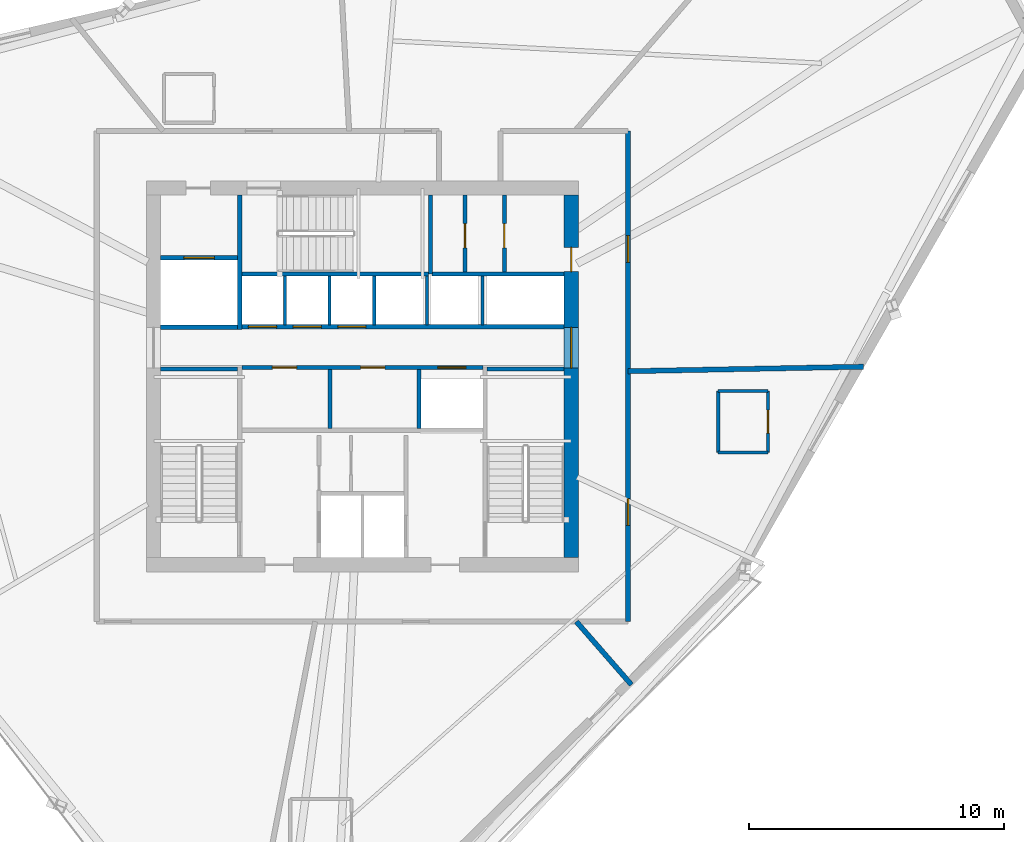
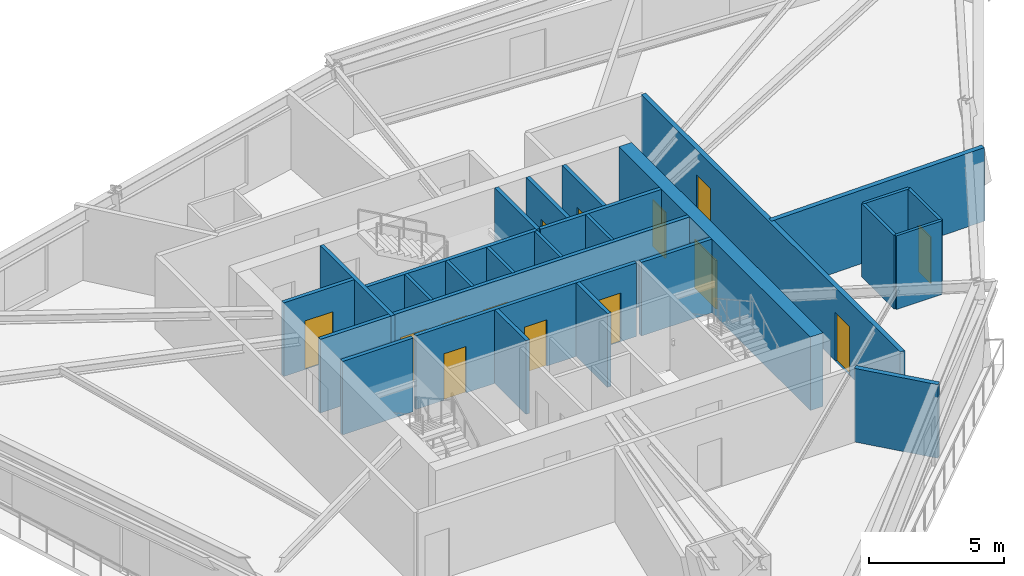
# One storey, part 10 of 15: 27 walls, 14 doors, 14 openings.
"""IFC4 building model written with IfcOpenShell, lengths in metres."""

from ifc_helpers import new_model, si_unit, direction, frame, frame_2d, origin, place, context, subcontext, project, spatial, rectangle, extrude, source, transform, mapped, material, layer, layer_set, type_object, type_shapes, element, fill, save


model = new_model("IFC4")

# Units and contexts
model_context = context("Model", 3, precision=1e-05, world=origin(), true_north=direction((0.0, 1.0)))
body_context = subcontext(model_context, "Body", "Model", "MODEL_VIEW")
ifc_project = project(units=[si_unit("LENGTHUNIT", "METRE"), si_unit("AREAUNIT", "SQUARE_METRE"), si_unit("VOLUMEUNIT", "CUBIC_METRE"), si_unit("PLANEANGLEUNIT", "RADIAN"), si_unit("MASSUNIT", "GRAM", prefix="KILO")], contexts=[model_context])

# Site, building, storey
site_placement = place(None, origin())
site = spatial("IfcSite", under=ifc_project, at=site_placement, CompositionType="ELEMENT")
building_placement = place(site_placement, origin())
building = spatial("IfcBuilding", under=site, at=building_placement, Name="Olszyna Solenne Hotel", CompositionType="ELEMENT")
storey_placement = place(building_placement, frame((0.0, 0.0, 157.25)))
storey = spatial("IfcBuildingStorey", under=building, at=storey_placement, Name="L41", CompositionType="ELEMENT", Elevation=157.25)

# Wall, openings, doors
ifc_material_1 = material(Name="Concrete C50/60", Category="concrete")
ifc_layer_1 = layer(ifc_material_1, 0.550048828125, Name="Concrete C50/60")
ifc_layer_set_1 = layer_set([ifc_layer_1], Name="Concrete C50/60")
wall_type_1 = type_object("IfcWallType", Name="WL-CR550", PredefinedType="SHEAR", material=ifc_layer_set_1)
wall_1_placement = place(storey_placement, frame((46.175048828125, 33.699951171875, 0.0), z_axis=(0.0, 0.0, 1.0), x_axis=(0.0, -1.0, 0.0)))
wall_1 = element("IfcWall", 1, at=wall_1_placement, inside=storey, type_object=wall_type_1, Name="Core shear wall WL-CR550 CRW-L41-E", PredefinedType="SHEAR", context=body_context, shape_type="SweptSolid", body=[
    extrude(rectangle(XDim=14.199951171875, YDim=0.550048828125, at=frame_2d((7.10009765625, 0.0))), origin(), (0.0, 0.0, 1.0), 3.330078125),
])
opening_1_placement = place(wall_1_placement, frame((5.179931640625, 0.0, 0.0)))
opening_1 = element("IfcOpeningElement", 2, at=opening_1_placement, cuts=wall_1, Name="Opening LHD-L41-E", PredefinedType="OPENING", context=body_context, shape_type="SweptSolid", body=[
    extrude(rectangle(XDim=1.60009765625, YDim=2.199951171875, at=frame_2d((0.800048828125, 1.10009765625))), frame((0.0, 0.28515625, 0.0), z_axis=(0.0, -1.0, 0.0), x_axis=(1.0, 0.0, 0.0)), (0.0, 0.0, 1.0), 0.570068359375),
])
opening_2_placement = place(wall_1_placement, frame((2.050048828125, 0.0, 0.0)))
opening_2 = element("IfcOpeningElement", 3, at=opening_2_placement, cuts=wall_1, Name="Opening SVD-L41-BE", PredefinedType="OPENING", context=body_context, shape_type="SweptSolid", body=[
    extrude(rectangle(XDim=0.949951171875, YDim=2.10009765625, at=frame_2d((0.47509765625, 1.050048828125))), frame((0.0, 0.28515625, 0.0), z_axis=(0.0, -1.0, 0.0), x_axis=(1.0, 0.0, 0.0)), (0.0, 0.0, 1.0), 0.570068359375),
])
ifc_material_2 = material(Name="Steel S355J2", Category="steel")
door_type_1 = type_object("IfcDoorType", Name="DR-SV1", OperationType="NOTDEFINED", PredefinedType="DOOR", material=ifc_material_2)
shared_shape_1 = source(origin(), body_context, "Body", "SweptSolid", [
    extrude(rectangle(XDim=0.949951171875, YDim=2.10009765625, at=frame_2d((0.47509765625, 1.050048828125))), frame((0.0, 0.02490234375, 0.0), z_axis=(0.0, -1.0, 0.0), x_axis=(1.0, 0.0, 0.0)), (0.0, 0.0, 1.0), 0.050048828125),
])
type_shapes(door_type_1, [shared_shape_1])
door_1_placement = place(opening_2_placement, origin())
door_1 = element("IfcDoor", 4, at=door_1_placement, inside=storey, type_object=door_type_1, Name="Housekeeping core fire door SVD-L41-BE", OperationType="SINGLE_SWING_RIGHT", OverallHeight=2.10009765625, OverallWidth=0.949951171875, PredefinedType="DOOR", context=body_context, shape_type="MappedRepresentation", body=[
    mapped(shared_shape_1, transform((0.0, 0.0, 0.0), x_axis=(1.0, 0.0, 0.0), y_axis=(0.0, 1.0, 0.0), z_axis=(0.0, 0.0, 1.0), scale=1.0)),
])
fill(opening_2, door_1)
ifc_material_3 = material(Name="Timber hardwood", Category="wood")
door_type_2 = type_object("IfcDoorType", Name="DR-CR1", OperationType="DOUBLE_DOOR_SINGLE_SWING", PredefinedType="DOOR", material=ifc_material_3)
shared_shape_2 = source(origin(), body_context, "Body", "SweptSolid", [
    extrude(rectangle(XDim=1.60009765625, YDim=2.199951171875, at=frame_2d((0.800048828125, 1.10009765625))), frame((0.0, 0.02490234375, 0.0), z_axis=(0.0, -1.0, 0.0), x_axis=(1.0, 0.0, 0.0)), (0.0, 0.0, 1.0), 0.050048828125),
])
type_shapes(door_type_2, [shared_shape_2])
door_2_placement = place(opening_1_placement, origin())
door_2 = element("IfcDoor", 5, at=door_2_placement, inside=storey, type_object=door_type_2, Name="Passenger lift lobby East fire door LHD-L41-E", OperationType="DOUBLE_DOOR_SINGLE_SWING", OverallHeight=2.199951171875, OverallWidth=1.60009765625, PredefinedType="DOOR", context=body_context, shape_type="MappedRepresentation", body=[
    mapped(shared_shape_2, transform((0.0, 0.0, 0.0), x_axis=(1.0, 0.0, 0.0), y_axis=(0.0, 1.0, 0.0), z_axis=(0.0, 0.0, 1.0), scale=1.0)),
])
fill(opening_1, door_2)

# Walls
ifc_material_4 = material(Name="Acoustic gypsum partition", Category="gypsum")
ifc_layer_2 = layer(ifc_material_4, 0.125, Name="Acoustic gypsum partition")
ifc_layer_set_2 = layer_set([ifc_layer_2], Name="Acoustic gypsum partition")
wall_type_2 = type_object("IfcWallType", Name="WL-PT125", PredefinedType="PARTITIONING", material=ifc_layer_set_2)
for number, where, z_axis, x_axis, name in (
    (6, (34.965087890625, 28.60009765625, 0.0), (0.0, 0.0, 1.0), (0.0, 1.0, 0.0), "Core shaft compartment wall CW-L41-DIVN349"),
    (7, (36.715087890625, 28.60009765625, 0.0), (0.0, 0.0, 1.0), (0.0, 1.0, 0.0), "Core shaft compartment wall CW-L41-DIVN367"),
    (8, (38.465087890625, 28.60009765625, 0.0), (0.0, 0.0, 1.0), (0.0, 1.0, 0.0), "Core shaft compartment wall CW-L41-DIVN384"),
    (9, (40.52490234375, 28.60009765625, 0.0), (0.0, 0.0, 1.0), (0.0, 1.0, 0.0), "Core shaft compartment wall CW-L41-DIVEX405"),
    (10, (42.699951171875, 28.60009765625, 0.0), (0.0, 0.0, 1.0), (0.0, 1.0, 0.0), "Core shaft compartment wall CW-L41-DIVEX427"),
):
    element("IfcWall", number, at=place(storey_placement, frame(where, z_axis=z_axis, x_axis=x_axis)), inside=storey, type_object=wall_type_2, Name=name, PredefinedType="PARTITIONING", context=body_context, shape_type="SweptSolid", body=[
        extrude(rectangle(XDim=1.919921875, YDim=0.125, at=frame_2d((0.9599609375, 0.0))), origin(), (0.0, 0.0, 1.0), 3.330078125),
    ])

# Wall, opening, door
wall_2_placement = place(storey_placement, frame((53.876953125, 23.6240234375, 0.0), z_axis=(0.0, 0.0, 1.0), x_axis=(0.0, 1.0, 0.0)))
wall_2 = element("IfcWall", 11, at=wall_2_placement, inside=storey, type_object=wall_type_2, Name="Interior acoustic partition WL-PT125 PW-L41-2323", PredefinedType="PARTITIONING", context=body_context, shape_type="SweptSolid", body=[
    extrude(rectangle(XDim=2.39990234375, YDim=0.125, at=frame_2d((1.199951171875, 0.0))), origin(), (0.0, 0.0, 1.0), 3.330078125),
])
opening_3_placement = place(wall_2_placement, frame((0.75, 0.0, 0.0)))
opening_3 = element("IfcOpeningElement", 12, at=opening_3_placement, cuts=wall_2, Name="Opening DR-L41-0560", PredefinedType="OPENING", context=body_context, shape_type="SweptSolid", body=[
    extrude(rectangle(XDim=0.89990234375, YDim=2.10009765625, at=frame_2d((0.449951171875, 1.050048828125))), frame((0.0, 0.072509765625, 0.0), z_axis=(0.0, -1.0, 0.0), x_axis=(1.0, 0.0, 0.0)), (0.0, 0.0, 1.0), 0.14501953125),
])
door_type_3 = type_object("IfcDoorType", Name="DR-WC1", OperationType="NOTDEFINED", PredefinedType="DOOR", material=ifc_material_3)
shared_shape_3 = source(origin(), body_context, "Body", "SweptSolid", [
    extrude(rectangle(XDim=0.89990234375, YDim=2.10009765625, at=frame_2d((0.449951171875, 1.050048828125))), frame((0.0, 0.02490234375, 0.0), z_axis=(0.0, -1.0, 0.0), x_axis=(1.0, 0.0, 0.0)), (0.0, 0.0, 1.0), 0.050048828125),
])
type_shapes(door_type_3, [shared_shape_3])
door_3_placement = place(opening_3_placement, origin())
door_3 = element("IfcDoor", 13, at=door_3_placement, inside=storey, type_object=door_type_3, Name="En-Suite Bathroom Door DR-L41-0560", OperationType="SINGLE_SWING_RIGHT", OverallHeight=2.10009765625, OverallWidth=0.89990234375, PredefinedType="DOOR", context=body_context, shape_type="MappedRepresentation", body=[
    mapped(shared_shape_3, transform((0.0, 0.0, 0.0), x_axis=(1.0, 0.0, 0.0), y_axis=(0.0, 1.0, 0.0), z_axis=(0.0, 0.0, 1.0), scale=1.0)),
])
fill(opening_3, door_3)

# Walls
wall_3_placement = place(storey_placement, frame((53.876953125, 26.02392578125, 0.0), z_axis=(0.0, 0.0, 1.0), x_axis=(-1.0, 0.0, 0.0)))
element("IfcWall", 14, at=wall_3_placement, inside=storey, type_object=wall_type_2, Name="Interior acoustic partition WL-PT125 PW-L41-2324", PredefinedType="PARTITIONING", context=body_context, shape_type="SweptSolid", body=[
    extrude(rectangle(XDim=1.949951171875, YDim=0.125, at=frame_2d((0.97509765625, 0.0))), origin(), (0.0, 0.0, 1.0), 3.330078125),
])
wall_4_placement = place(storey_placement, frame((51.927001953125, 26.02392578125, 0.0), z_axis=(0.0, 0.0, 1.0), x_axis=(0.0, -1.0, 0.0)))
element("IfcWall", 15, at=wall_4_placement, inside=storey, type_object=wall_type_2, Name="Interior acoustic partition WL-PT125 PW-L41-2325", PredefinedType="PARTITIONING", context=body_context, shape_type="SweptSolid", body=[
    extrude(rectangle(XDim=2.39990234375, YDim=0.125, at=frame_2d((1.199951171875, 0.0))), origin(), (0.0, 0.0, 1.0), 3.330078125),
])
wall_5_placement = place(storey_placement, frame((51.927001953125, 23.6240234375, 0.0), z_axis=(0.0, 0.0, 1.0), x_axis=(1.0, 0.0, 0.0)))
element("IfcWall", 16, at=wall_5_placement, inside=storey, type_object=wall_type_2, Name="Interior acoustic partition WL-PT125 PW-L41-2326", PredefinedType="PARTITIONING", context=body_context, shape_type="SweptSolid", body=[
    extrude(rectangle(XDim=1.949951171875, YDim=0.125, at=frame_2d((0.97509765625, 0.0))), origin(), (0.0, 0.0, 1.0), 3.330078125),
])
ifc_layer_3 = layer(ifc_material_4, 0.159912109375, Name="Acoustic gypsum partition")
ifc_layer_set_3 = layer_set([ifc_layer_3], Name="Acoustic gypsum partition")
wall_type_3 = type_object("IfcWallType", Name="WL-PT160", PredefinedType="PARTITIONING", material=ifc_layer_set_3)
for number, where, z_axis, x_axis, name in (
    (17, (30.10009765625, 26.8798828125, 0.0), (0.0, 0.0, 1.0), (1.0, 0.0, 0.0), "Core shaft compartment wall CW-L41-ST1N"),
    (18, (42.8798828125, 26.8798828125, 0.0), (0.0, 0.0, 1.0), (1.0, 0.0, 0.0), "Core shaft compartment wall CW-L41-ST2N"),
):
    element("IfcWall", number, at=place(storey_placement, frame(where, z_axis=z_axis, x_axis=x_axis)), inside=storey, type_object=wall_type_3, Name=name, PredefinedType="PARTITIONING", context=body_context, shape_type="SweptSolid", body=[
        extrude(rectangle(XDim=3.02001953125, YDim=0.159912109375, at=frame_2d((1.510009765625, 0.0))), origin(), (0.0, 0.0, 1.0), 3.330078125),
    ])
wall_6_placement = place(storey_placement, frame((33.280029296875, 30.60009765625, 0.0), z_axis=(0.0, 0.0, 1.0), x_axis=(1.0, 0.0, 0.0)))
element("IfcWall", 19, at=wall_6_placement, inside=storey, type_object=wall_type_3, Name="Core shaft compartment wall CW-L41-ST3S", PredefinedType="PARTITIONING", context=body_context, shape_type="SweptSolid", body=[
    extrude(rectangle(XDim=7.300048828125, YDim=0.159912109375, at=frame_2d((3.64990234375, 0.0))), origin(), (0.0, 0.0, 1.0), 3.330078125),
])
wall_7_placement = place(storey_placement, frame((40.659912109375, 30.60009765625, 0.0), z_axis=(0.0, 0.0, 1.0), x_axis=(0.0, 1.0, 0.0)))
element("IfcWall", 20, at=wall_7_placement, inside=storey, type_object=wall_type_3, Name="Core shaft compartment wall CW-L41-ST3E", PredefinedType="PARTITIONING", context=body_context, shape_type="SweptSolid", body=[
    extrude(rectangle(XDim=3.099853515625, YDim=0.159912109375, at=frame_2d((1.5498046875, 0.0))), origin(), (0.0, 0.0, 1.0), 3.330078125),
])
wall_8_placement = place(storey_placement, frame((30.10009765625, 28.52001953125, 0.0), z_axis=(0.0, 0.0, 1.0), x_axis=(1.0, 0.0, 0.0)))
element("IfcWall", 21, at=wall_8_placement, inside=storey, type_object=wall_type_3, Name="Core shaft compartment wall CW-L41-SV1S", PredefinedType="PARTITIONING", context=body_context, shape_type="SweptSolid", body=[
    extrude(rectangle(XDim=3.02001953125, YDim=0.159912109375, at=frame_2d((1.510009765625, 0.0))), origin(), (0.0, 0.0, 1.0), 3.330078125),
])
wall_9_placement = place(storey_placement, frame((33.199951171875, 28.43994140625, 0.0), z_axis=(0.0, 0.0, 1.0), x_axis=(0.0, 1.0, 0.0)))
element("IfcWall", 22, at=wall_9_placement, inside=storey, type_object=wall_type_3, Name="Core shaft compartment wall CW-L41-SV1E", PredefinedType="PARTITIONING", context=body_context, shape_type="SweptSolid", body=[
    extrude(rectangle(XDim=5.260009765625, YDim=0.159912109375, at=frame_2d((2.6298828125, 0.0))), origin(), (0.0, 0.0, 1.0), 3.330078125),
])

# Wall, opening, door
wall_10_placement = place(storey_placement, frame((30.10009765625, 31.239990234375, 0.0), z_axis=(0.0, 0.0, 1.0), x_axis=(1.0, 0.0, 0.0)))
wall_10 = element("IfcWall", 23, at=wall_10_placement, inside=storey, type_object=wall_type_3, Name="Core shaft compartment wall CW-L41-SV1N", PredefinedType="PARTITIONING", context=body_context, shape_type="SweptSolid", body=[
    extrude(rectangle(XDim=3.02001953125, YDim=0.159912109375, at=frame_2d((1.510009765625, 0.0))), origin(), (0.0, 0.0, 1.0), 3.330078125),
])
opening_4_placement = place(wall_10_placement, frame((0.909912109375, 0.0, 0.0)))
opening_4 = element("IfcOpeningElement", 24, at=opening_4_placement, cuts=wall_10, Name="Opening LD-L41-SV1", PredefinedType="OPENING", context=body_context, shape_type="SweptSolid", body=[
    extrude(rectangle(XDim=1.199951171875, YDim=2.199951171875, at=frame_2d((0.60009765625, 1.10009765625))), frame((0.0, 0.08984375, 0.0), z_axis=(0.0, -1.0, 0.0), x_axis=(1.0, 0.0, 0.0)), (0.0, 0.0, 1.0), 0.179931640625),
])
door_type_4 = type_object("IfcDoorType", Name="LD-FF1", OperationType="DOUBLE_DOOR_SLIDING", PredefinedType="DOOR", material=ifc_material_2)
shared_shape_4 = source(origin(), body_context, "Body", "SweptSolid", [
    extrude(rectangle(XDim=1.199951171875, YDim=2.199951171875, at=frame_2d((0.60009765625, 1.10009765625))), frame((0.0, 0.02490234375, 0.0), z_axis=(0.0, -1.0, 0.0), x_axis=(1.0, 0.0, 0.0)), (0.0, 0.0, 1.0), 0.050048828125),
])
type_shapes(door_type_4, [shared_shape_4])
door_4_placement = place(opening_4_placement, origin())
door_4 = element("IfcDoor", 25, at=door_4_placement, inside=storey, type_object=door_type_4, Name="Service lift SV1 sliding landing door LD-L41-SV1", OperationType="DOUBLE_DOOR_SLIDING", OverallHeight=2.199951171875, OverallWidth=1.199951171875, PredefinedType="DOOR", context=body_context, shape_type="MappedRepresentation", body=[
    mapped(shared_shape_4, transform((0.0, 0.0, 0.0), x_axis=(1.0, 0.0, 0.0), y_axis=(0.0, 1.0, 0.0), z_axis=(0.0, 0.0, 1.0), scale=1.0)),
])
fill(opening_4, door_4)

# Wall, openings, doors
wall_11_placement = place(storey_placement, frame((33.280029296875, 26.949951171875, 0.0), z_axis=(0.0, 0.0, 1.0), x_axis=(1.0, 0.0, 0.0)))
wall_11 = element("IfcWall", 26, at=wall_11_placement, inside=storey, type_object=wall_type_3, Name="Core shaft compartment wall CW-L41-LRS", PredefinedType="PARTITIONING", context=body_context, shape_type="SweptSolid", body=[
    extrude(rectangle(XDim=9.43994140625, YDim=0.159912109375, at=frame_2d((4.719970703125, 0.0))), origin(), (0.0, 0.0, 1.0), 3.330078125),
])
opening_5_placement = place(wall_11_placement, frame((1.199951171875, 0.0, 0.0)))
opening_5 = element("IfcOpeningElement", 27, at=opening_5_placement, cuts=wall_11, Name="Opening SVD-L41-L71", PredefinedType="OPENING", context=body_context, shape_type="SweptSolid", body=[
    extrude(rectangle(XDim=0.949951171875, YDim=2.10009765625, at=frame_2d((0.47509765625, 1.050048828125))), frame((0.0, 0.08984375, 0.0), z_axis=(0.0, -1.0, 0.0), x_axis=(1.0, 0.0, 0.0)), (0.0, 0.0, 1.0), 0.179931640625),
])
opening_6_placement = place(wall_11_placement, frame((4.64990234375, 0.0, 0.0)))
opening_6 = element("IfcOpeningElement", 28, at=opening_6_placement, cuts=wall_11, Name="Opening SVD-L41-L72", PredefinedType="OPENING", context=body_context, shape_type="SweptSolid", body=[
    extrude(rectangle(XDim=0.949951171875, YDim=2.10009765625, at=frame_2d((0.47509765625, 1.050048828125))), frame((0.0, 0.08984375, 0.0), z_axis=(0.0, -1.0, 0.0), x_axis=(1.0, 0.0, 0.0)), (0.0, 0.0, 1.0), 0.179931640625),
])
opening_7_placement = place(wall_11_placement, frame((7.669921875, 0.0, 0.0)))
opening_7 = element("IfcOpeningElement", 29, at=opening_7_placement, cuts=wall_11, Name="Opening LD-L41-PL5", PredefinedType="OPENING", context=body_context, shape_type="SweptSolid", body=[
    extrude(rectangle(XDim=1.10009765625, YDim=2.199951171875, at=frame_2d((0.550048828125, 1.10009765625))), frame((0.0, 0.08984375, 0.0), z_axis=(0.0, -1.0, 0.0), x_axis=(1.0, 0.0, 0.0)), (0.0, 0.0, 1.0), 0.179931640625),
])
door_5_placement = place(opening_5_placement, origin())
door_5 = element("IfcDoor", 30, at=door_5_placement, inside=storey, type_object=door_type_1, Name="Recaptured core room fire door SVD-L41-L71", OperationType="SINGLE_SWING_LEFT", OverallHeight=2.10009765625, OverallWidth=0.949951171875, PredefinedType="DOOR", context=body_context, shape_type="MappedRepresentation", body=[
    mapped(shared_shape_1, transform((0.0, 0.0, 0.0), x_axis=(1.0, 0.0, 0.0), y_axis=(0.0, 1.0, 0.0), z_axis=(0.0, 0.0, 1.0), scale=1.0)),
])
fill(opening_5, door_5)
door_6_placement = place(opening_6_placement, origin())
door_6 = element("IfcDoor", 31, at=door_6_placement, inside=storey, type_object=door_type_1, Name="Recaptured core room fire door SVD-L41-L72", OperationType="SINGLE_SWING_RIGHT", OverallHeight=2.10009765625, OverallWidth=0.949951171875, PredefinedType="DOOR", context=body_context, shape_type="MappedRepresentation", body=[
    mapped(shared_shape_1, transform((0.0, 0.0, 0.0), x_axis=(1.0, 0.0, 0.0), y_axis=(0.0, 1.0, 0.0), z_axis=(0.0, 0.0, 1.0), scale=1.0)),
])
fill(opening_6, door_6)
door_type_5 = type_object("IfcDoorType", Name="LD-P1", OperationType="DOUBLE_DOOR_SLIDING", PredefinedType="DOOR", material=ifc_material_2)
shared_shape_5 = source(origin(), body_context, "Body", "SweptSolid", [
    extrude(rectangle(XDim=1.10009765625, YDim=2.199951171875, at=frame_2d((0.550048828125, 1.10009765625))), frame((0.0, 0.02490234375, 0.0), z_axis=(0.0, -1.0, 0.0), x_axis=(1.0, 0.0, 0.0)), (0.0, 0.0, 1.0), 0.050048828125),
])
type_shapes(door_type_5, [shared_shape_5])
door_7_placement = place(opening_7_placement, origin())
door_7 = element("IfcDoor", 32, at=door_7_placement, inside=storey, type_object=door_type_5, Name="Passenger lift PL5 sliding landing door LD-L41-PL5", OperationType="DOUBLE_DOOR_SLIDING", OverallHeight=2.199951171875, OverallWidth=1.10009765625, PredefinedType="DOOR", context=body_context, shape_type="MappedRepresentation", body=[
    mapped(shared_shape_5, transform((0.0, 0.0, 0.0), x_axis=(1.0, 0.0, 0.0), y_axis=(0.0, 1.0, 0.0), z_axis=(0.0, 0.0, 1.0), scale=1.0)),
])
fill(opening_7, door_7)

# Walls
for number, where, z_axis, x_axis, name in (
    (33, (36.72998046875, 24.56005859375, 0.0), (0.0, 0.0, 1.0), (0.0, 1.0, 0.0), "Core shaft compartment wall CW-L41-LV7DIV1"),
    (34, (40.215087890625, 24.56005859375, 0.0), (0.0, 0.0, 1.0), (0.0, 1.0, 0.0), "Core shaft compartment wall CW-L41-LV7DIV2"),
):
    element("IfcWall", number, at=place(storey_placement, frame(where, z_axis=z_axis, x_axis=x_axis)), inside=storey, type_object=wall_type_3, Name=name, PredefinedType="PARTITIONING", context=body_context, shape_type="SweptSolid", body=[
        extrude(rectangle(XDim=2.31005859375, YDim=0.159912109375, at=frame_2d((1.155029296875, 0.0))), origin(), (0.0, 0.0, 1.0), 3.330078125),
    ])

# Wall, openings, doors
wall_12_placement = place(storey_placement, frame((33.280029296875, 28.5400390625, 0.0), z_axis=(0.0, 0.0, 1.0), x_axis=(1.0, 0.0, 0.0)))
wall_12 = element("IfcWall", 35, at=wall_12_placement, inside=storey, type_object=wall_type_3, Name="Core shaft compartment wall CW-L41-LRN", PredefinedType="PARTITIONING", context=body_context, shape_type="SweptSolid", body=[
    extrude(rectangle(XDim=12.619873046875, YDim=0.159912109375, at=frame_2d((6.31005859375, 0.0))), origin(), (0.0, 0.0, 1.0), 3.330078125),
])
opening_8_placement = place(wall_12_placement, frame((0.260009765625, 0.0, 0.0)))
opening_8 = element("IfcOpeningElement", 36, at=opening_8_placement, cuts=wall_12, Name="Opening LD-L41-PL6", PredefinedType="OPENING", context=body_context, shape_type="SweptSolid", body=[
    extrude(rectangle(XDim=1.10009765625, YDim=2.199951171875, at=frame_2d((0.550048828125, 1.10009765625))), frame((0.0, 0.08984375, 0.0), z_axis=(0.0, -1.0, 0.0), x_axis=(1.0, 0.0, 0.0)), (0.0, 0.0, 1.0), 0.179931640625),
])
opening_9_placement = place(wall_12_placement, frame((2.010009765625, 0.0, 0.0)))
opening_9 = element("IfcOpeningElement", 37, at=opening_9_placement, cuts=wall_12, Name="Opening LD-L41-PL7", PredefinedType="OPENING", context=body_context, shape_type="SweptSolid", body=[
    extrude(rectangle(XDim=1.10009765625, YDim=2.199951171875, at=frame_2d((0.550048828125, 1.10009765625))), frame((0.0, 0.08984375, 0.0), z_axis=(0.0, -1.0, 0.0), x_axis=(1.0, 0.0, 0.0)), (0.0, 0.0, 1.0), 0.179931640625),
])
opening_10_placement = place(wall_12_placement, frame((3.760009765625, 0.0, 0.0)))
opening_10 = element("IfcOpeningElement", 38, at=opening_10_placement, cuts=wall_12, Name="Opening LD-L41-PL8", PredefinedType="OPENING", context=body_context, shape_type="SweptSolid", body=[
    extrude(rectangle(XDim=1.10009765625, YDim=2.199951171875, at=frame_2d((0.550048828125, 1.10009765625))), frame((0.0, 0.08984375, 0.0), z_axis=(0.0, -1.0, 0.0), x_axis=(1.0, 0.0, 0.0)), (0.0, 0.0, 1.0), 0.179931640625),
])
door_8_placement = place(opening_8_placement, origin())
door_8 = element("IfcDoor", 39, at=door_8_placement, inside=storey, type_object=door_type_5, Name="Passenger lift PL6 sliding landing door LD-L41-PL6", OperationType="DOUBLE_DOOR_SLIDING", OverallHeight=2.199951171875, OverallWidth=1.10009765625, PredefinedType="DOOR", context=body_context, shape_type="MappedRepresentation", body=[
    mapped(shared_shape_5, transform((0.0, 0.0, 0.0), x_axis=(1.0, 0.0, 0.0), y_axis=(0.0, 1.0, 0.0), z_axis=(0.0, 0.0, 1.0), scale=1.0)),
])
fill(opening_8, door_8)
door_9_placement = place(opening_9_placement, origin())
door_9 = element("IfcDoor", 40, at=door_9_placement, inside=storey, type_object=door_type_5, Name="Passenger lift PL7 sliding landing door LD-L41-PL7", OperationType="DOUBLE_DOOR_SLIDING", OverallHeight=2.199951171875, OverallWidth=1.10009765625, PredefinedType="DOOR", context=body_context, shape_type="MappedRepresentation", body=[
    mapped(shared_shape_5, transform((0.0, 0.0, 0.0), x_axis=(1.0, 0.0, 0.0), y_axis=(0.0, 1.0, 0.0), z_axis=(0.0, 0.0, 1.0), scale=1.0)),
])
fill(opening_9, door_9)
door_10_placement = place(opening_10_placement, origin())
door_10 = element("IfcDoor", 41, at=door_10_placement, inside=storey, type_object=door_type_5, Name="Passenger lift PL8 sliding landing door LD-L41-PL8", OperationType="DOUBLE_DOOR_SLIDING", OverallHeight=2.199951171875, OverallWidth=1.10009765625, PredefinedType="DOOR", context=body_context, shape_type="MappedRepresentation", body=[
    mapped(shared_shape_5, transform((0.0, 0.0, 0.0), x_axis=(1.0, 0.0, 0.0), y_axis=(0.0, 1.0, 0.0), z_axis=(0.0, 0.0, 1.0), scale=1.0)),
])
fill(opening_10, door_10)

# Wall
wall_13_placement = place(storey_placement, frame((40.719970703125, 30.60009765625, 0.0), z_axis=(0.0, 0.0, 1.0), x_axis=(1.0, 0.0, 0.0)))
element("IfcWall", 42, at=wall_13_placement, inside=storey, type_object=wall_type_3, Name="Core shaft compartment wall CW-L41-LRNTOP", PredefinedType="PARTITIONING", context=body_context, shape_type="SweptSolid", body=[
    extrude(rectangle(XDim=5.179931640625, YDim=0.159912109375, at=frame_2d((2.58984375, 0.0))), origin(), (0.0, 0.0, 1.0), 3.330078125),
])

# Wall, opening, door
wall_14_placement = place(storey_placement, frame((42.014892578125, 30.679931640625, 0.0), z_axis=(0.0, 0.0, 1.0), x_axis=(0.0, 1.0, 0.0)))
wall_14 = element("IfcWall", 43, at=wall_14_placement, inside=storey, type_object=wall_type_3, Name="Core shaft compartment wall CW-L41-BOH3A", PredefinedType="PARTITIONING", context=body_context, shape_type="SweptSolid", body=[
    extrude(rectangle(XDim=3.02001953125, YDim=0.159912109375, at=frame_2d((1.510009765625, 0.0))), origin(), (0.0, 0.0, 1.0), 3.330078125),
])
opening_11_placement = place(wall_14_placement, frame((0.949951171875, 0.0, 0.0)))
opening_11 = element("IfcOpeningElement", 44, at=opening_11_placement, cuts=wall_14, Name="Opening SVD-L41-B31", PredefinedType="OPENING", context=body_context, shape_type="SweptSolid", body=[
    extrude(rectangle(XDim=0.949951171875, YDim=2.10009765625, at=frame_2d((0.47509765625, 1.050048828125))), frame((0.0, 0.08984375, 0.0), z_axis=(0.0, -1.0, 0.0), x_axis=(1.0, 0.0, 0.0)), (0.0, 0.0, 1.0), 0.179931640625),
])
door_11_placement = place(opening_11_placement, origin())
door_11 = element("IfcDoor", 45, at=door_11_placement, inside=storey, type_object=door_type_1, Name="BOH inter-room fire door SVD-L41-B31", OperationType="SINGLE_SWING_LEFT", OverallHeight=2.10009765625, OverallWidth=0.949951171875, PredefinedType="DOOR", context=body_context, shape_type="MappedRepresentation", body=[
    mapped(shared_shape_1, transform((0.0, 0.0, 0.0), x_axis=(1.0, 0.0, 0.0), y_axis=(0.0, 1.0, 0.0), z_axis=(0.0, 0.0, 1.0), scale=1.0)),
])
fill(opening_11, door_11)

wall_15_placement = place(storey_placement, frame((43.554931640625, 30.679931640625, 0.0), z_axis=(0.0, 0.0, 1.0), x_axis=(0.0, 1.0, 0.0)))
wall_15 = element("IfcWall", 46, at=wall_15_placement, inside=storey, type_object=wall_type_3, Name="Core shaft compartment wall CW-L41-BOH3B", PredefinedType="PARTITIONING", context=body_context, shape_type="SweptSolid", body=[
    extrude(rectangle(XDim=3.02001953125, YDim=0.159912109375, at=frame_2d((1.510009765625, 0.0))), origin(), (0.0, 0.0, 1.0), 3.330078125),
])
opening_12_placement = place(wall_15_placement, frame((0.949951171875, 0.0, 0.0)))
opening_12 = element("IfcOpeningElement", 47, at=opening_12_placement, cuts=wall_15, Name="Opening SVD-L41-B32", PredefinedType="OPENING", context=body_context, shape_type="SweptSolid", body=[
    extrude(rectangle(XDim=0.949951171875, YDim=2.10009765625, at=frame_2d((0.47509765625, 1.050048828125))), frame((0.0, 0.08984375, 0.0), z_axis=(0.0, -1.0, 0.0), x_axis=(1.0, 0.0, 0.0)), (0.0, 0.0, 1.0), 0.179931640625),
])
door_12_placement = place(opening_12_placement, origin())
door_12 = element("IfcDoor", 48, at=door_12_placement, inside=storey, type_object=door_type_1, Name="BOH inter-room fire door SVD-L41-B32", OperationType="SINGLE_SWING_LEFT", OverallHeight=2.10009765625, OverallWidth=0.949951171875, PredefinedType="DOOR", context=body_context, shape_type="MappedRepresentation", body=[
    mapped(shared_shape_1, transform((0.0, 0.0, 0.0), x_axis=(1.0, 0.0, 0.0), y_axis=(0.0, 1.0, 0.0), z_axis=(0.0, 0.0, 1.0), scale=1.0)),
])
fill(opening_12, door_12)

# Walls
ifc_layer_4 = layer(ifc_material_4, 0.199951171875, Name="Acoustic gypsum partition")
ifc_layer_set_4 = layer_set([ifc_layer_4], Name="Acoustic gypsum partition")
wall_type_4 = type_object("IfcWallType", Name="WL-PT200", PredefinedType="PARTITIONING", material=ifc_layer_set_4)
wall_16_placement = place(storey_placement, frame((46.37451171875, 17.0, 0.0), z_axis=(0.0, 0.0, 1.0), x_axis=(0.657406566199, -0.753536068625, 0.0)))
element("IfcWall", 49, at=wall_16_placement, inside=storey, type_object=wall_type_4, Name="Interior acoustic partition WL-PT200 PW-L41-2315", PredefinedType="PARTITIONING", context=body_context, shape_type="SweptSolid", body=[
    extrude(rectangle(XDim=3.276123046875, YDim=0.199951171875, at=frame_2d((1.63818359375, 0.0))), origin(), (0.0, 0.0, 1.0), 3.330078125),
])
wall_17_placement = place(storey_placement, frame((48.39990234375, 26.7998046875, 0.0), z_axis=(0.0, 0.0, 1.0), x_axis=(0.999815805831, 0.019192561338, 0.0)))
element("IfcWall", 50, at=wall_17_placement, inside=storey, type_object=wall_type_4, Name="Interior acoustic partition WL-PT200 PW-L41-2316", PredefinedType="PARTITIONING", context=body_context, shape_type="SweptSolid", body=[
    extrude(rectangle(XDim=9.209716796875, YDim=0.199951171875, at=frame_2d((4.60498046875, 0.0))), origin(), (0.0, 0.0, 1.0), 3.330078125),
])

# Wall, openings, doors
wall_18_placement = place(storey_placement, frame((48.39990234375, 17.0, 0.0), z_axis=(0.0, 0.0, 1.0), x_axis=(0.0, 1.0, 0.0)))
wall_18 = element("IfcWall", 51, at=wall_18_placement, inside=storey, type_object=wall_type_4, Name="Interior acoustic partition WL-PT200 PW-L41-2337", PredefinedType="PARTITIONING", context=body_context, shape_type="SweptSolid", body=[
    extrude(rectangle(XDim=19.199951171875, YDim=0.199951171875, at=frame_2d((9.60009765625, 0.0))), origin(), (0.0, 0.0, 1.0), 3.330078125),
])
opening_13_placement = place(wall_18_placement, frame((3.764892578125, 0.0, 0.0)))
opening_13 = element("IfcOpeningElement", 52, at=opening_13_placement, cuts=wall_18, Name="Opening DR-L41-0566", PredefinedType="OPENING", context=body_context, shape_type="SweptSolid", body=[
    extrude(rectangle(XDim=1.050048828125, YDim=2.199951171875, at=frame_2d((0.52490234375, 1.10009765625))), frame((0.0, 0.10986328125, 0.0), z_axis=(0.0, -1.0, 0.0), x_axis=(1.0, 0.0, 0.0)), (0.0, 0.0, 1.0), 0.219970703125),
])
opening_14_placement = place(wall_18_placement, frame((14.06005859375, 0.0, 0.0)))
opening_14 = element("IfcOpeningElement", 53, at=opening_14_placement, cuts=wall_18, Name="Opening DR-L41-0567", PredefinedType="OPENING", context=body_context, shape_type="SweptSolid", body=[
    extrude(rectangle(XDim=1.050048828125, YDim=2.199951171875, at=frame_2d((0.52490234375, 1.10009765625))), frame((0.0, 0.10986328125, 0.0), z_axis=(0.0, -1.0, 0.0), x_axis=(1.0, 0.0, 0.0)), (0.0, 0.0, 1.0), 0.219970703125),
])
door_type_6 = type_object("IfcDoorType", Name="DR-RM2", OperationType="NOTDEFINED", PredefinedType="DOOR", material=ifc_material_3)
shared_shape_6 = source(origin(), body_context, "Body", "SweptSolid", [
    extrude(rectangle(XDim=1.050048828125, YDim=2.199951171875, at=frame_2d((0.52490234375, 1.10009765625))), frame((0.0, 0.02490234375, 0.0), z_axis=(0.0, -1.0, 0.0), x_axis=(1.0, 0.0, 0.0)), (0.0, 0.0, 1.0), 0.050048828125),
])
type_shapes(door_type_6, [shared_shape_6])
door_13_placement = place(opening_13_placement, origin())
door_13 = element("IfcDoor", 54, at=door_13_placement, inside=storey, type_object=door_type_6, Name="Premier King Suite Entrance Door DR-L41-0566", OperationType="SINGLE_SWING_RIGHT", OverallHeight=2.199951171875, OverallWidth=1.050048828125, PredefinedType="DOOR", context=body_context, shape_type="MappedRepresentation", body=[
    mapped(shared_shape_6, transform((0.0, 0.0, 0.0), x_axis=(1.0, 0.0, 0.0), y_axis=(0.0, 1.0, 0.0), z_axis=(0.0, 0.0, 1.0), scale=1.0)),
])
fill(opening_13, door_13)
door_14_placement = place(opening_14_placement, origin())
door_14 = element("IfcDoor", 55, at=door_14_placement, inside=storey, type_object=door_type_6, Name="Conference Boardroom Entrance Door DR-L41-0567", OperationType="SINGLE_SWING_LEFT", OverallHeight=2.199951171875, OverallWidth=1.050048828125, PredefinedType="DOOR", context=body_context, shape_type="MappedRepresentation", body=[
    mapped(shared_shape_6, transform((0.0, 0.0, 0.0), x_axis=(1.0, 0.0, 0.0), y_axis=(0.0, 1.0, 0.0), z_axis=(0.0, 0.0, 1.0), scale=1.0)),
])
fill(opening_14, door_14)

save(model, "model.ifc")
